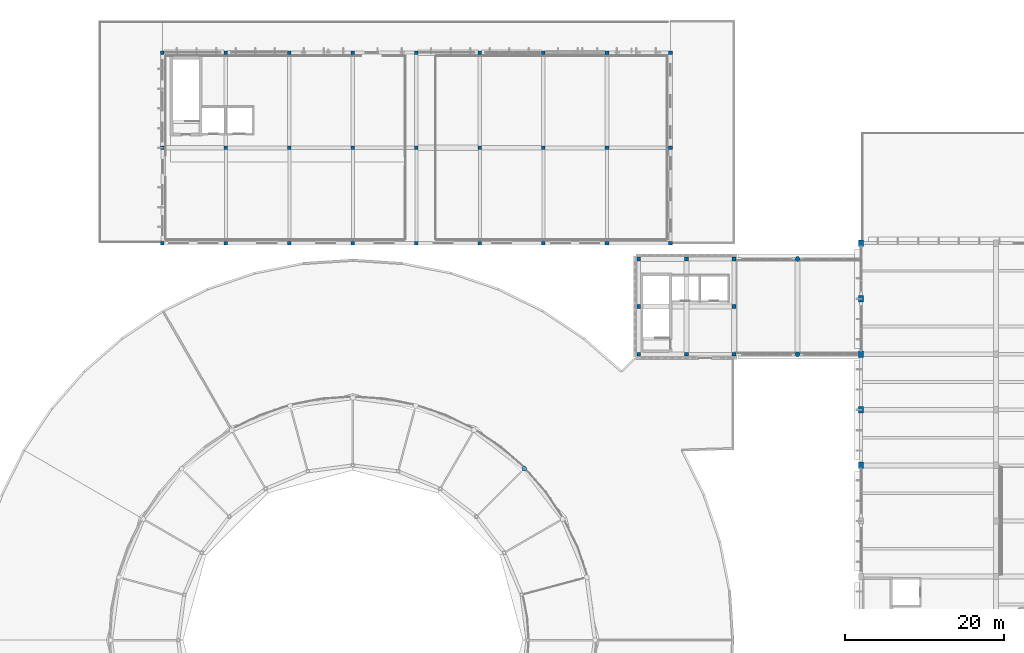
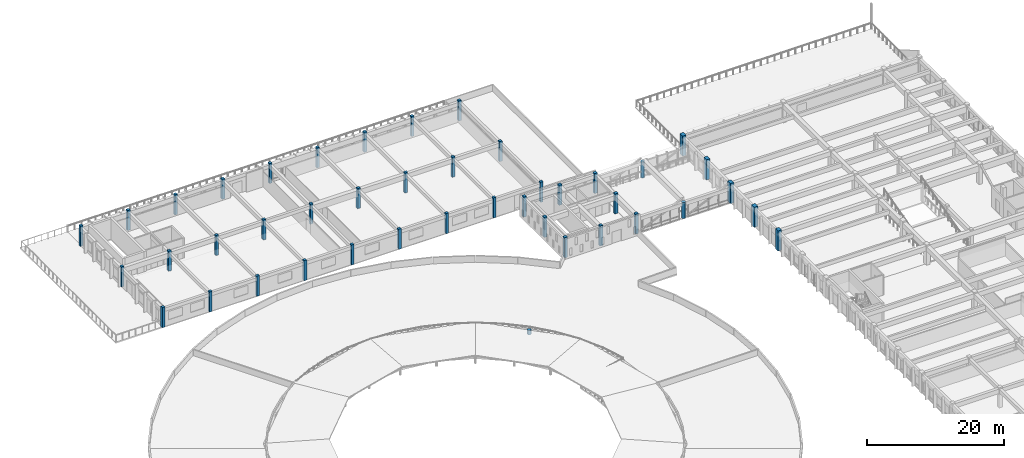
# One storey, part 8 of 77: 43 columns.
"""IFC4 building model written with IfcOpenShell, lengths in metres."""

from ifc_helpers import new_model, si_unit, direction, frame, origin, origin_2d, place, context, subcontext, project, spatial, rectangle, circle, extrude, material, material_profile, profile_set, type_object, element, save


model = new_model("IFC4")

# Units and contexts
model_context = context("Model", 3, precision=1e-05, world=origin(), true_north=direction((0.0, 1.0)))
body_context = subcontext(model_context, "Body", "Model", "MODEL_VIEW")
ifc_project = project(units=[si_unit("LENGTHUNIT", "METRE"), si_unit("AREAUNIT", "SQUARE_METRE"), si_unit("VOLUMEUNIT", "CUBIC_METRE"), si_unit("PLANEANGLEUNIT", "RADIAN"), si_unit("MASSUNIT", "GRAM", prefix="KILO")], contexts=[model_context])

# Site, building, storey
site_placement = place(None, origin())
site = spatial("IfcSite", under=ifc_project, at=site_placement, CompositionType="ELEMENT")
building_placement = place(site_placement, origin())
building = spatial("IfcBuilding", under=site, at=building_placement, Name="Larkveld Mobility Hub", CompositionType="ELEMENT")
storey_placement = place(building_placement, frame((0.0, 0.0, 12.0)))
storey = spatial("IfcBuildingStorey", under=building, at=storey_placement, Name="L03", CompositionType="ELEMENT", Elevation=12.0)

# Columns
ifc_material_1 = material(Name="Precast concrete C50/60", Category="concrete")
ifc_material_profile_1 = material_profile(ifc_material_1, rectangle(XDim=0.60009765625, YDim=0.800048828125, at=origin_2d()), Name="RC COL 600x800")
ifc_profile_set_1 = profile_set([ifc_material_profile_1], Name="Precast concrete C50/60")
column_type_1 = type_object("IfcColumnType", Name="CL-PC6080", PredefinedType="COLUMN", material=ifc_profile_set_1)
for number, where, z_axis, x_axis, name in (
    (1, (112.0, 70.0, 0.0), (0.0, 0.0, 1.0), (1.0, 0.0, 0.0), "Column EV-X112-Y70 (L03)"),
    (2, (112.0, 77.0, 0.0), (0.0, 0.0, 1.0), (1.0, 0.0, 0.0), "Column EV-X112-Y77 (L03)"),
    (3, (112.0, 84.0, 0.0), (0.0, 0.0, 1.0), (1.0, 0.0, 0.0), "Column EV-X112-Y84 (L03)"),
    (4, (112.0, 91.0, 0.0), (0.0, 0.0, 1.0), (1.0, 0.0, 0.0), "Column EV-X112-Y91 (L03)"),
    (5, (112.0, 98.0, 0.0), (0.0, 0.0, 1.0), (1.0, 0.0, 0.0), "Column EV-X112-Y98 (L03)"),
):
    element("IfcColumn", number, at=place(storey_placement, frame(where, z_axis=z_axis, x_axis=x_axis)), inside=storey, type_object=column_type_1, Name=name, PredefinedType="COLUMN", context=body_context, shape_type="SweptSolid", body=[
        extrude(rectangle(XDim=0.60009765625, YDim=0.800048828125, at=origin_2d()), origin(), (0.0, 0.0, 1.0), 3.60009765625),
    ])
ifc_material_2 = material(Name="Concrete C40/50", Category="concrete")
ifc_material_profile_2 = material_profile(ifc_material_2, rectangle(XDim=0.449951171875, YDim=0.449951171875, at=origin_2d()), Name="RC COL 450x450")
ifc_profile_set_2 = profile_set([ifc_material_profile_2], Name="Concrete C40/50")
column_type_2 = type_object("IfcColumnType", Name="CL-RC450", PredefinedType="COLUMN", material=ifc_profile_set_2)
for number, where, z_axis, x_axis, name in (
    (6, (24.0, 98.0, 0.0), (0.0, 0.0, 1.0), (1.0, 0.0, 0.0), "Column V5-X24-Y98 (L03)"),
    (7, (24.0, 110.0, 0.0), (0.0, 0.0, 1.0), (1.0, 0.0, 0.0), "Column V5-X24-Y110 (L03)"),
    (8, (24.0, 122.0, 0.0), (0.0, 0.0, 1.0), (1.0, 0.0, 0.0), "Column V5-X24-Y122 (L03)"),
    (9, (32.0, 98.0, 0.0), (0.0, 0.0, 1.0), (1.0, 0.0, 0.0), "Column V5-X32-Y98 (L03)"),
    (10, (32.0, 110.0, 0.0), (0.0, 0.0, 1.0), (1.0, 0.0, 0.0), "Column V5-X32-Y110 (L03)"),
    (11, (32.0, 122.0, 0.0), (0.0, 0.0, 1.0), (1.0, 0.0, 0.0), "Column V5-X32-Y122 (L03)"),
    (12, (40.0, 98.0, 0.0), (0.0, 0.0, 1.0), (1.0, 0.0, 0.0), "Column V5-X40-Y98 (L03)"),
    (13, (40.0, 110.0, 0.0), (0.0, 0.0, 1.0), (1.0, 0.0, 0.0), "Column V5-X40-Y110 (L03)"),
    (14, (40.0, 122.0, 0.0), (0.0, 0.0, 1.0), (1.0, 0.0, 0.0), "Column V5-X40-Y122 (L03)"),
    (15, (48.0, 98.0, 0.0), (0.0, 0.0, 1.0), (1.0, 0.0, 0.0), "Column V5-X48-Y98 (L03)"),
    (16, (48.0, 110.0, 0.0), (0.0, 0.0, 1.0), (1.0, 0.0, 0.0), "Column V5-X48-Y110 (L03)"),
    (17, (48.0, 122.0, 0.0), (0.0, 0.0, 1.0), (1.0, 0.0, 0.0), "Column V5-X48-Y122 (L03)"),
    (18, (56.0, 98.0, 0.0), (0.0, 0.0, 1.0), (1.0, 0.0, 0.0), "Column V5-X56-Y98 (L03)"),
    (19, (56.0, 110.0, 0.0), (0.0, 0.0, 1.0), (1.0, 0.0, 0.0), "Column V5-X56-Y110 (L03)"),
    (20, (56.0, 122.0, 0.0), (0.0, 0.0, 1.0), (1.0, 0.0, 0.0), "Column V5-X56-Y122 (L03)"),
    (21, (64.0, 98.0, 0.0), (0.0, 0.0, 1.0), (1.0, 0.0, 0.0), "Column V5-X64-Y98 (L03)"),
    (22, (64.0, 110.0, 0.0), (0.0, 0.0, 1.0), (1.0, 0.0, 0.0), "Column V5-X64-Y110 (L03)"),
    (23, (64.0, 122.0, 0.0), (0.0, 0.0, 1.0), (1.0, 0.0, 0.0), "Column V5-X64-Y122 (L03)"),
    (24, (72.0, 98.0, 0.0), (0.0, 0.0, 1.0), (1.0, 0.0, 0.0), "Column V5-X72-Y98 (L03)"),
    (25, (72.0, 110.0, 0.0), (0.0, 0.0, 1.0), (1.0, 0.0, 0.0), "Column V5-X72-Y110 (L03)"),
    (26, (72.0, 122.0, 0.0), (0.0, 0.0, 1.0), (1.0, 0.0, 0.0), "Column V5-X72-Y122 (L03)"),
    (27, (80.0, 98.0, 0.0), (0.0, 0.0, 1.0), (1.0, 0.0, 0.0), "Column V5-X80-Y98 (L03)"),
    (28, (80.0, 110.0, 0.0), (0.0, 0.0, 1.0), (1.0, 0.0, 0.0), "Column V5-X80-Y110 (L03)"),
    (29, (80.0, 122.0, 0.0), (0.0, 0.0, 1.0), (1.0, 0.0, 0.0), "Column V5-X80-Y122 (L03)"),
    (30, (88.0, 98.0, 0.0), (0.0, 0.0, 1.0), (1.0, 0.0, 0.0), "Column V5-X88-Y98 (L03)"),
    (31, (88.0, 110.0, 0.0), (0.0, 0.0, 1.0), (1.0, 0.0, 0.0), "Column V5-X88-Y110 (L03)"),
    (32, (88.0, 122.0, 0.0), (0.0, 0.0, 1.0), (1.0, 0.0, 0.0), "Column V5-X88-Y122 (L03)"),
):
    element("IfcColumn", number, at=place(storey_placement, frame(where, z_axis=z_axis, x_axis=x_axis)), inside=storey, type_object=column_type_2, Name=name, PredefinedType="COLUMN", context=body_context, shape_type="SweptSolid", body=[
        extrude(rectangle(XDim=0.449951171875, YDim=0.449951171875, at=origin_2d()), origin(), (0.0, 0.0, 1.0), 3.60009765625),
    ])
ifc_material_profile_3 = material_profile(ifc_material_2, rectangle(XDim=0.5, YDim=0.5, at=origin_2d()), Name="RC COL 500x500")
ifc_profile_set_3 = profile_set([ifc_material_profile_3], Name="Concrete C40/50")
column_type_3 = type_object("IfcColumnType", Name="CL-RC500", PredefinedType="COLUMN", material=ifc_profile_set_3)
for number, where, z_axis, x_axis, name in (
    (33, (84.0, 84.0, 0.0), (0.0, 0.0, 1.0), (1.0, 0.0, 0.0), "Column PAV-X84-Y84 (L03)"),
    (34, (84.0, 90.0, 0.0), (0.0, 0.0, 1.0), (1.0, 0.0, 0.0), "Column PAV-X84-Y90 (L03)"),
    (35, (84.0, 96.0, 0.0), (0.0, 0.0, 1.0), (1.0, 0.0, 0.0), "Column PAV-X84-Y96 (L03)"),
    (36, (90.0, 84.0, 0.0), (0.0, 0.0, 1.0), (1.0, 0.0, 0.0), "Column PAV-X90-Y84 (L03)"),
    (37, (90.0, 96.0, 0.0), (0.0, 0.0, 1.0), (1.0, 0.0, 0.0), "Column PAV-X90-Y96 (L03)"),
    (38, (96.0, 84.0, 0.0), (0.0, 0.0, 1.0), (1.0, 0.0, 0.0), "Column PAV-X96-Y84 (L03)"),
    (39, (96.0, 90.0, 0.0), (0.0, 0.0, 1.0), (1.0, 0.0, 0.0), "Column PAV-X96-Y90 (L03)"),
    (40, (96.0, 96.0, 0.0), (0.0, 0.0, 1.0), (1.0, 0.0, 0.0), "Column PAV-X96-Y96 (L03)"),
):
    element("IfcColumn", number, at=place(storey_placement, frame(where, z_axis=z_axis, x_axis=x_axis)), inside=storey, type_object=column_type_3, Name=name, PredefinedType="COLUMN", context=body_context, shape_type="SweptSolid", body=[
        extrude(rectangle(XDim=0.5, YDim=0.5, at=origin_2d()), origin(), (0.0, 0.0, 1.0), 3.60009765625),
    ])
ifc_material_profile_4 = material_profile(ifc_material_2, circle(Radius=0.300048828125, at=origin_2d()), Name="RC COL D600")
ifc_profile_set_4 = profile_set([ifc_material_profile_4], Name="Concrete C40/50")
column_type_4 = type_object("IfcColumnType", Name="CL-RCD600", PredefinedType="COLUMN", material=ifc_profile_set_4)
column_placement = place(storey_placement, frame((69.56689453125, 69.56689453125, 0.0), z_axis=(0.0, 0.0, 1.0), x_axis=(1.0, 0.0, 0.0)))
element("IfcColumn", 41, at=column_placement, inside=storey, type_object=column_type_4, Name="Column DRM-R30-K06 (L03)", PredefinedType="COLUMN", context=body_context, shape_type="SweptSolid", body=[
    extrude(circle(Radius=0.300048828125, at=origin_2d()), origin(), (0.0, 0.0, 1.0), 0.820068359375),
])
for number, where, z_axis, x_axis, name in (
    (42, (104.0, 84.0, 0.0), (0.0, 0.0, 1.0), (1.0, 0.0, 0.0), "Column BRG-X104-Y84 (L03)"),
    (43, (104.0, 96.0, 0.0), (0.0, 0.0, 1.0), (1.0, 0.0, 0.0), "Column BRG-X104-Y96 (L03)"),
):
    element("IfcColumn", number, at=place(storey_placement, frame(where, z_axis=z_axis, x_axis=x_axis)), inside=storey, type_object=column_type_4, Name=name, PredefinedType="COLUMN", context=body_context, shape_type="SweptSolid", body=[
        extrude(circle(Radius=0.300048828125, at=origin_2d()), origin(), (0.0, 0.0, 1.0), 2.85009765625),
    ])

save(model, "model.ifc")
